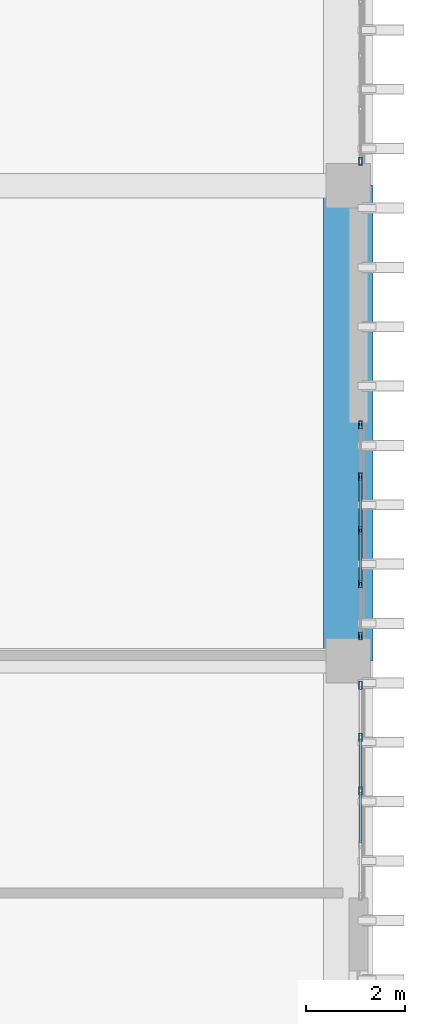
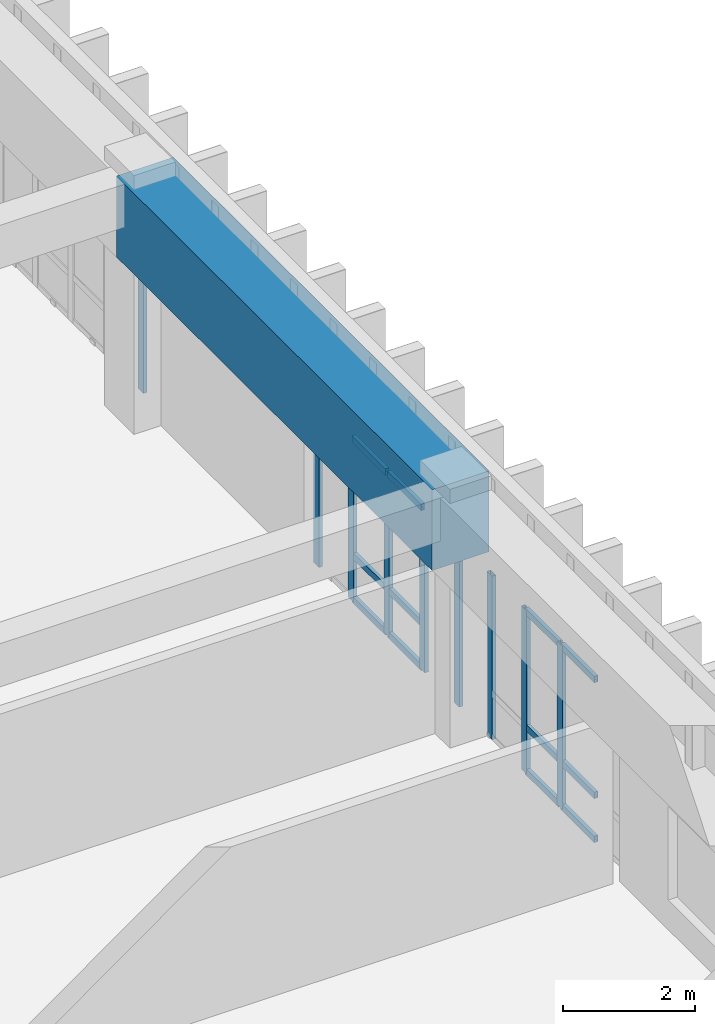
# One storey, part 36 of 101: 21 members, 1 beam, 3 elements without a shape of their own.
"""IFC4 building model written with IfcOpenShell, lengths in metres."""

from ifc_helpers import new_model, si_unit, direction, frame, origin, origin_2d, place, context, subcontext, project, spatial, rectangle, hollow_rectangle, extrude, material, layer, layer_set, material_profile, profile_set, type_object, element, aggregate, save


model = new_model("IFC4")

# Units and contexts
model_context = context("Model", 3, precision=1e-05, world=origin(), true_north=direction((0.0, 1.0)))
body_context = subcontext(model_context, "Body", "Model", "MODEL_VIEW")
ifc_project = project(units=[si_unit("LENGTHUNIT", "METRE"), si_unit("AREAUNIT", "SQUARE_METRE"), si_unit("VOLUMEUNIT", "CUBIC_METRE"), si_unit("PLANEANGLEUNIT", "RADIAN"), si_unit("MASSUNIT", "GRAM", prefix="KILO")], contexts=[model_context])

# Site, building, storey
site_placement = place(None, origin())
site = spatial("IfcSite", under=ifc_project, at=site_placement, CompositionType="ELEMENT")
building_placement = place(site_placement, origin())
building = spatial("IfcBuilding", under=site, at=building_placement, Name="Nakhvara Creek Congress Hotel", CompositionType="ELEMENT")
storey_placement = place(building_placement, frame((0.0, 0.0, 16.199951171875)))
storey = spatial("IfcBuildingStorey", under=building, at=storey_placement, Name="L03", CompositionType="ELEMENT", Elevation=16.199951171875)

# Beam
ifc_material_1 = material(Name="Concrete C50/60", Category="concrete")
ifc_material_profile_1 = material_profile(ifc_material_1, rectangle(XDim=1.0, YDim=1.5, at=origin_2d()), Name="RC-TG 1000x1500", Category="LoadBearing")
ifc_profile_set_1 = profile_set([ifc_material_profile_1], Name="Concrete C50/60")
beam_type = type_object("IfcBeamType", Name="BM-TG2-1500", PredefinedType="BEAM", material=ifc_profile_set_1)
beam_placement = place(storey_placement, frame((179.35009765625, 19.199951171875, 3.7900390625), z_axis=(0.0, 1.0, 0.0), x_axis=(-1.0, 0.0, 0.0)))
element("IfcBeam", 1, at=beam_placement, inside=storey, type_object=beam_type, Name="Transfer Girder TG2-L03-1898", PredefinedType="BEAM", context=body_context, shape_type="SweptSolid", body=[
    extrude(rectangle(XDim=1.0, YDim=1.5, at=origin_2d()), origin(), (0.0, 0.0, 1.0), 9.60009765625),
])

# Curtain wall, members
ifc_material_2 = material(Name="Bronze-anodised aluminium AW-6063-T6 and double-silver low-E glass", Category="aluminium")
ifc_layer = layer(ifc_material_2, 0.199951171875)
ifc_layer_set = layer_set([ifc_layer], Name="Bronze-anodised aluminium AW-6063-T6 and double-silver low-E glass")
curtain_wall_type = type_object("IfcCurtainWallType", Name="CW-HTL-UNIT", PredefinedType="USERDEFINED", material=ifc_layer_set)
curtain_wall_1_placement = place(storey_placement, origin())
curtain_wall_1 = element("IfcCurtainWall", 2, at=curtain_wall_1_placement, inside=storey, type_object=curtain_wall_type, Name="Curtain Wall CW152", ObjectType="UNITISED", PredefinedType="USERDEFINED")
ifc_material_3 = material(Name="Bronze-anodised aluminium AW-6063-T6", Category="aluminium")
ifc_material_profile_2 = material_profile(ifc_material_3, hollow_rectangle(XDim=0.06494140625, YDim=0.159912109375, WallThickness=0.00390625, at=origin_2d()), Name="ALU-MULL 65x160x4", Category="LoadBearing")
ifc_profile_set_2 = profile_set([ifc_material_profile_2], Name="Bronze-anodised aluminium AW-6063-T6")
member_type_1 = type_object("IfcMemberType", Name="CW-MULL-160", PredefinedType="MULLION", material=ifc_profile_set_2)
member_1_placement = place(storey_placement, frame((179.60009765625, 18.702392578125, 0.0), z_axis=(0.0, 0.0, 1.0), x_axis=(1.0, 0.0, 0.0)))
member_1 = element("IfcMember", 3, at=member_1_placement, type_object=member_type_1, Name="CW152 mullion 1", PredefinedType="MULLION", context=body_context, shape_type="SweptSolid", body=[
    extrude(hollow_rectangle(XDim=0.06494140625, YDim=0.159912109375, WallThickness=0.00390625, at=origin_2d()), origin(), (0.0, 0.0, 1.0), 3.031982421875),
])
member_2_placement = place(storey_placement, frame((179.60009765625, 17.6513671875, 0.0), z_axis=(0.0, 0.0, 1.0), x_axis=(1.0, 0.0, 0.0)))
member_2 = element("IfcMember", 4, at=member_2_placement, type_object=member_type_1, Name="CW152 mullion 2", PredefinedType="MULLION", context=body_context, shape_type="SweptSolid", body=[
    extrude(hollow_rectangle(XDim=0.06494140625, YDim=0.159912109375, WallThickness=0.00390625, at=origin_2d()), origin(), (0.0, 0.0, 1.0), 3.031982421875),
])
member_3_placement = place(storey_placement, frame((179.60009765625, 16.5673828125, 0.0), z_axis=(0.0, 0.0, 1.0), x_axis=(1.0, 0.0, 0.0)))
member_3 = element("IfcMember", 5, at=member_3_placement, type_object=member_type_1, Name="CW152 mullion 3", PredefinedType="MULLION", context=body_context, shape_type="SweptSolid", body=[
    extrude(hollow_rectangle(XDim=0.06494140625, YDim=0.159912109375, WallThickness=0.00390625, at=origin_2d()), origin(), (0.0, 0.0, 1.0), 3.031982421875),
])

curtain_wall_2_placement = place(storey_placement, origin())
curtain_wall_2 = element("IfcCurtainWall", 6, at=curtain_wall_2_placement, inside=storey, type_object=curtain_wall_type, Name="Curtain Wall CW153", ObjectType="UNITISED", PredefinedType="USERDEFINED")
member_4_placement = place(storey_placement, frame((179.60009765625, 23.967529296875, 0.0), z_axis=(0.0, 0.0, 1.0), x_axis=(1.0, 0.0, 0.0)))
member_4 = element("IfcMember", 7, at=member_4_placement, type_object=member_type_1, Name="CW153 mullion 1", PredefinedType="MULLION", context=body_context, shape_type="SweptSolid", body=[
    extrude(hollow_rectangle(XDim=0.06494140625, YDim=0.159912109375, WallThickness=0.00390625, at=origin_2d()), origin(), (0.0, 0.0, 1.0), 3.031982421875),
])
member_5_placement = place(storey_placement, frame((179.60009765625, 22.916259765625, 0.0), z_axis=(0.0, 0.0, 1.0), x_axis=(1.0, 0.0, 0.0)))
member_5 = element("IfcMember", 8, at=member_5_placement, type_object=member_type_1, Name="CW153 mullion 2", PredefinedType="MULLION", context=body_context, shape_type="SweptSolid", body=[
    extrude(hollow_rectangle(XDim=0.06494140625, YDim=0.159912109375, WallThickness=0.00390625, at=origin_2d()), origin(), (0.0, 0.0, 1.0), 3.031982421875),
])
member_6_placement = place(storey_placement, frame((179.60009765625, 21.83251953125, 0.0), z_axis=(0.0, 0.0, 1.0), x_axis=(1.0, 0.0, 0.0)))
member_6 = element("IfcMember", 9, at=member_6_placement, type_object=member_type_1, Name="CW153 mullion 3", PredefinedType="MULLION", context=body_context, shape_type="SweptSolid", body=[
    extrude(hollow_rectangle(XDim=0.06494140625, YDim=0.159912109375, WallThickness=0.00390625, at=origin_2d()), origin(), (0.0, 0.0, 1.0), 3.031982421875),
])
member_7_placement = place(storey_placement, frame((179.60009765625, 20.748779296875, 0.0), z_axis=(0.0, 0.0, 1.0), x_axis=(1.0, 0.0, 0.0)))
member_7 = element("IfcMember", 10, at=member_7_placement, type_object=member_type_1, Name="CW153 mullion 4", PredefinedType="MULLION", context=body_context, shape_type="SweptSolid", body=[
    extrude(hollow_rectangle(XDim=0.06494140625, YDim=0.159912109375, WallThickness=0.00390625, at=origin_2d()), origin(), (0.0, 0.0, 1.0), 3.031982421875),
])
member_8_placement = place(storey_placement, frame((179.60009765625, 19.697509765625, 0.0), z_axis=(0.0, 0.0, 1.0), x_axis=(1.0, 0.0, 0.0)))
member_8 = element("IfcMember", 11, at=member_8_placement, type_object=member_type_1, Name="CW153 mullion 5", PredefinedType="MULLION", context=body_context, shape_type="SweptSolid", body=[
    extrude(hollow_rectangle(XDim=0.06494140625, YDim=0.159912109375, WallThickness=0.00390625, at=origin_2d()), origin(), (0.0, 0.0, 1.0), 3.031982421875),
])

# Curtain wall, member
curtain_wall_3_placement = place(storey_placement, origin())
curtain_wall_3 = element("IfcCurtainWall", 12, at=curtain_wall_3_placement, inside=storey, type_object=curtain_wall_type, Name="Curtain Wall CW154", ObjectType="UNITISED", PredefinedType="USERDEFINED")
member_9_placement = place(storey_placement, frame((179.60009765625, 29.297607421875, 0.0), z_axis=(0.0, 0.0, 1.0), x_axis=(1.0, 0.0, 0.0)))
member_9 = element("IfcMember", 13, at=member_9_placement, type_object=member_type_1, Name="CW154 mullion 5", PredefinedType="MULLION", context=body_context, shape_type="SweptSolid", body=[
    extrude(hollow_rectangle(XDim=0.06494140625, YDim=0.159912109375, WallThickness=0.00390625, at=origin_2d()), origin(), (0.0, 0.0, 1.0), 3.031982421875),
])
aggregate(curtain_wall_3, [member_9])

# Member
ifc_material_profile_3 = material_profile(ifc_material_3, hollow_rectangle(XDim=0.06494140625, YDim=0.1201171875, WallThickness=0.00390625, at=origin_2d()), Name="ALU-TRAN 65x120x4", Category="LoadBearing")
ifc_profile_set_3 = profile_set([ifc_material_profile_3], Name="Bronze-anodised aluminium AW-6063-T6")
member_type_2 = type_object("IfcMemberType", Name="CW-TRAN-120", PredefinedType="USERDEFINED", material=ifc_profile_set_3)
member_10_placement = place(storey_placement, frame((179.60009765625, 17.61865234375, 0.032470703125), z_axis=(0.0, -1.0, 0.0), x_axis=(1.0, 0.0, 0.0)))
member_10 = element("IfcMember", 14, at=member_10_placement, type_object=member_type_2, Name="CW152 transom 2.1", ObjectType="TRANSOM", PredefinedType="USERDEFINED", context=body_context, shape_type="SweptSolid", body=[
    extrude(hollow_rectangle(XDim=0.06494140625, YDim=0.1201171875, WallThickness=0.00390625, at=origin_2d()), origin(), (0.0, 0.0, 1.0), 1.0185546875),
])

member_11_placement = place(storey_placement, frame((179.60009765625, 17.61865234375, 0.85009765625), z_axis=(0.0, -1.0, 0.0), x_axis=(1.0, 0.0, 0.0)))
member_11 = element("IfcMember", 15, at=member_11_placement, type_object=member_type_2, Name="CW152 transom 2.2", ObjectType="TRANSOM", PredefinedType="USERDEFINED", context=body_context, shape_type="SweptSolid", body=[
    extrude(hollow_rectangle(XDim=0.06494140625, YDim=0.1201171875, WallThickness=0.00390625, at=origin_2d()), origin(), (0.0, 0.0, 1.0), 1.0185546875),
])

member_12_placement = place(storey_placement, frame((179.60009765625, 17.61865234375, 2.99951171875), z_axis=(0.0, -1.0, 0.0), x_axis=(1.0, 0.0, 0.0)))
member_12 = element("IfcMember", 16, at=member_12_placement, type_object=member_type_2, Name="CW152 transom 2.3", ObjectType="TRANSOM", PredefinedType="USERDEFINED", context=body_context, shape_type="SweptSolid", body=[
    extrude(hollow_rectangle(XDim=0.06494140625, YDim=0.1201171875, WallThickness=0.00390625, at=origin_2d()), origin(), (0.0, 0.0, 1.0), 1.0185546875),
])

member_13_placement = place(storey_placement, frame((179.60009765625, 16.534912109375, 0.032470703125), z_axis=(0.0, -1.0, 0.0), x_axis=(1.0, 0.0, 0.0)))
member_13 = element("IfcMember", 17, at=member_13_placement, type_object=member_type_2, Name="CW152 transom 3.1", ObjectType="TRANSOM", PredefinedType="USERDEFINED", context=body_context, shape_type="SweptSolid", body=[
    extrude(hollow_rectangle(XDim=0.06494140625, YDim=0.1201171875, WallThickness=0.00390625, at=origin_2d()), origin(), (0.0, 0.0, 1.0), 1.0185546875),
])

member_14_placement = place(storey_placement, frame((179.60009765625, 16.534912109375, 0.85009765625), z_axis=(0.0, -1.0, 0.0), x_axis=(1.0, 0.0, 0.0)))
member_14 = element("IfcMember", 18, at=member_14_placement, type_object=member_type_2, Name="CW152 transom 3.2", ObjectType="TRANSOM", PredefinedType="USERDEFINED", context=body_context, shape_type="SweptSolid", body=[
    extrude(hollow_rectangle(XDim=0.06494140625, YDim=0.1201171875, WallThickness=0.00390625, at=origin_2d()), origin(), (0.0, 0.0, 1.0), 1.0185546875),
])

member_15_placement = place(storey_placement, frame((179.60009765625, 16.534912109375, 2.99951171875), z_axis=(0.0, -1.0, 0.0), x_axis=(1.0, 0.0, 0.0)))
member_15 = element("IfcMember", 19, at=member_15_placement, type_object=member_type_2, Name="CW152 transom 3.3", ObjectType="TRANSOM", PredefinedType="USERDEFINED", context=body_context, shape_type="SweptSolid", body=[
    extrude(hollow_rectangle(XDim=0.06494140625, YDim=0.1201171875, WallThickness=0.00390625, at=origin_2d()), origin(), (0.0, 0.0, 1.0), 1.0185546875),
])

aggregate(curtain_wall_1, [member_1, member_2, member_3, member_10, member_11, member_12, member_13, member_14, member_15])

member_16_placement = place(storey_placement, frame((179.60009765625, 22.8837890625, 0.032470703125), z_axis=(0.0, -1.0, 0.0), x_axis=(1.0, 0.0, 0.0)))
member_16 = element("IfcMember", 20, at=member_16_placement, type_object=member_type_2, Name="CW153 transom 2.1", ObjectType="TRANSOM", PredefinedType="USERDEFINED", context=body_context, shape_type="SweptSolid", body=[
    extrude(hollow_rectangle(XDim=0.06494140625, YDim=0.1201171875, WallThickness=0.00390625, at=origin_2d()), origin(), (0.0, 0.0, 1.0), 1.018798828125),
])

member_17_placement = place(storey_placement, frame((179.60009765625, 22.8837890625, 0.85009765625), z_axis=(0.0, -1.0, 0.0), x_axis=(1.0, 0.0, 0.0)))
member_17 = element("IfcMember", 21, at=member_17_placement, type_object=member_type_2, Name="CW153 transom 2.2", ObjectType="TRANSOM", PredefinedType="USERDEFINED", context=body_context, shape_type="SweptSolid", body=[
    extrude(hollow_rectangle(XDim=0.06494140625, YDim=0.1201171875, WallThickness=0.00390625, at=origin_2d()), origin(), (0.0, 0.0, 1.0), 1.018798828125),
])

member_18_placement = place(storey_placement, frame((179.60009765625, 22.8837890625, 2.99951171875), z_axis=(0.0, -1.0, 0.0), x_axis=(1.0, 0.0, 0.0)))
member_18 = element("IfcMember", 22, at=member_18_placement, type_object=member_type_2, Name="CW153 transom 2.3", ObjectType="TRANSOM", PredefinedType="USERDEFINED", context=body_context, shape_type="SweptSolid", body=[
    extrude(hollow_rectangle(XDim=0.06494140625, YDim=0.1201171875, WallThickness=0.00390625, at=origin_2d()), origin(), (0.0, 0.0, 1.0), 1.018798828125),
])

member_19_placement = place(storey_placement, frame((179.60009765625, 21.800048828125, 0.032470703125), z_axis=(0.0, -1.0, 0.0), x_axis=(1.0, 0.0, 0.0)))
member_19 = element("IfcMember", 23, at=member_19_placement, type_object=member_type_2, Name="CW153 transom 3.1", ObjectType="TRANSOM", PredefinedType="USERDEFINED", context=body_context, shape_type="SweptSolid", body=[
    extrude(hollow_rectangle(XDim=0.06494140625, YDim=0.1201171875, WallThickness=0.00390625, at=origin_2d()), origin(), (0.0, 0.0, 1.0), 1.018798828125),
])

member_20_placement = place(storey_placement, frame((179.60009765625, 21.800048828125, 0.85009765625), z_axis=(0.0, -1.0, 0.0), x_axis=(1.0, 0.0, 0.0)))
member_20 = element("IfcMember", 24, at=member_20_placement, type_object=member_type_2, Name="CW153 transom 3.2", ObjectType="TRANSOM", PredefinedType="USERDEFINED", context=body_context, shape_type="SweptSolid", body=[
    extrude(hollow_rectangle(XDim=0.06494140625, YDim=0.1201171875, WallThickness=0.00390625, at=origin_2d()), origin(), (0.0, 0.0, 1.0), 1.018798828125),
])

member_21_placement = place(storey_placement, frame((179.60009765625, 21.800048828125, 2.99951171875), z_axis=(0.0, -1.0, 0.0), x_axis=(1.0, 0.0, 0.0)))
member_21 = element("IfcMember", 25, at=member_21_placement, type_object=member_type_2, Name="CW153 transom 3.3", ObjectType="TRANSOM", PredefinedType="USERDEFINED", context=body_context, shape_type="SweptSolid", body=[
    extrude(hollow_rectangle(XDim=0.06494140625, YDim=0.1201171875, WallThickness=0.00390625, at=origin_2d()), origin(), (0.0, 0.0, 1.0), 1.018798828125),
])

aggregate(curtain_wall_2, [member_4, member_5, member_6, member_7, member_8, member_16, member_17, member_18, member_19, member_20, member_21])

save(model, "model.ifc")
